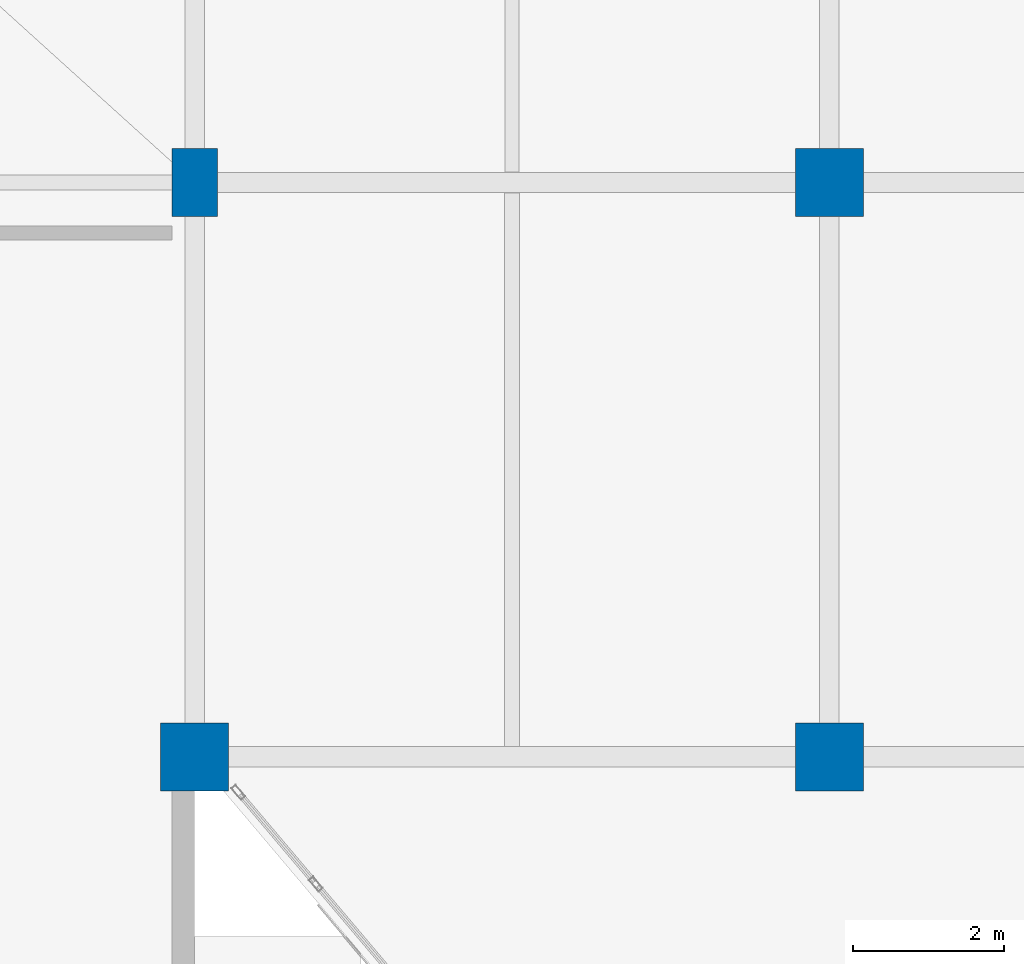
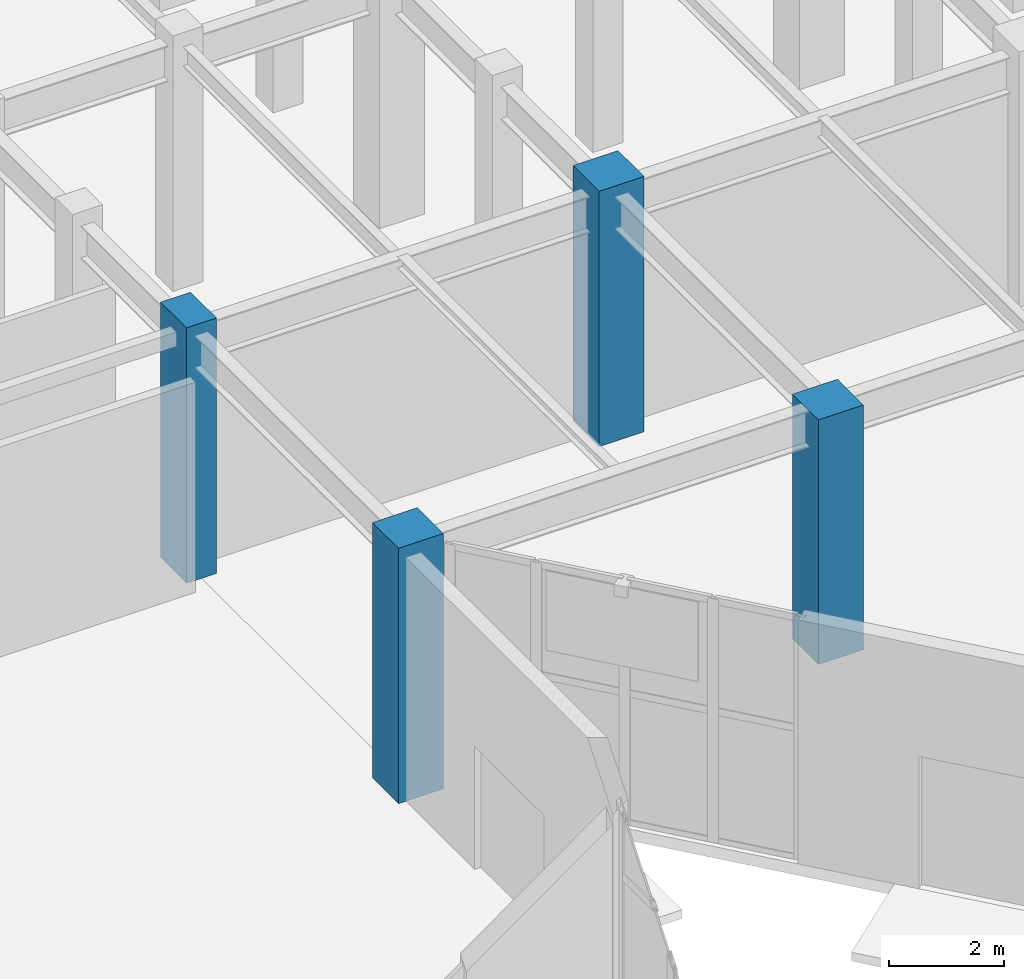
# One storey, part 2 of 139: 4 columns.
"""IFC4 building model written with IfcOpenShell, lengths in metres."""

from ifc_helpers import new_model, si_unit, direction, frame, origin, origin_2d, place, context, subcontext, project, spatial, rectangle, extrude, material, material_profile, profile_set, type_object, element, save


model = new_model("IFC4")

# Units and contexts
model_context = context("Model", 3, precision=1e-05, world=origin(), true_north=direction((0.0, 1.0)))
body_context = subcontext(model_context, "Body", "Model", "MODEL_VIEW")
ifc_project = project(units=[si_unit("LENGTHUNIT", "METRE"), si_unit("AREAUNIT", "SQUARE_METRE"), si_unit("VOLUMEUNIT", "CUBIC_METRE"), si_unit("PLANEANGLEUNIT", "RADIAN"), si_unit("MASSUNIT", "GRAM", prefix="KILO")], contexts=[model_context])

# Site, building, storey
site_placement = place(None, origin())
site = spatial("IfcSite", under=ifc_project, at=site_placement, CompositionType="ELEMENT")
building_placement = place(site_placement, origin())
building = spatial("IfcBuilding", under=site, at=building_placement, Name="Xicomal Pleat Aquarium", CompositionType="ELEMENT")
storey_placement = place(building_placement, origin())
storey = spatial("IfcBuildingStorey", under=building, at=storey_placement, Name="L01", CompositionType="ELEMENT", Elevation=0.0)

# Columns
ifc_material_1 = material(Name="Concrete C40/50", Category="concrete")
ifc_material_profile_1 = material_profile(ifc_material_1, rectangle(XDim=0.60009765625, YDim=0.89990234375, at=origin_2d()), Name="RC 600x900")
ifc_profile_set_1 = profile_set([ifc_material_profile_1], Name="Concrete C40/50")
column_type_1 = type_object("IfcColumnType", Name="COL-RC-600x900", PredefinedType="COLUMN", material=ifc_profile_set_1)
column_1_placement = place(storey_placement, frame((52.199951171875, 30.39990234375, 0.0), z_axis=(0.0, 0.0, 1.0), x_axis=(1.0, 0.0, 0.0)))
element("IfcColumn", 1, at=column_1_placement, inside=storey, type_object=column_type_1, Name="L01 column 07/E", PredefinedType="COLUMN", context=body_context, shape_type="SweptSolid", body=[
    extrude(rectangle(XDim=0.60009765625, YDim=0.89990234375, at=origin_2d()), origin(), (0.0, 0.0, 1.0), 5.39990234375),
])
ifc_material_2 = material(Name="Concrete C40/50", Category="concrete")
ifc_material_profile_2 = material_profile(ifc_material_2, rectangle(XDim=0.89990234375, YDim=0.89990234375, at=origin_2d()), Name="RC 900x900")
ifc_profile_set_2 = profile_set([ifc_material_profile_2], Name="Concrete C40/50")
column_type_2 = type_object("IfcColumnType", Name="COL-RC-900x900", PredefinedType="COLUMN", material=ifc_profile_set_2)
column_2_placement = place(storey_placement, frame((52.199951171875, 22.800048828125, 0.0), z_axis=(0.0, 0.0, 1.0), x_axis=(1.0, 0.0, 0.0)))
element("IfcColumn", 2, at=column_2_placement, inside=storey, type_object=column_type_2, Name="L01 column 07/D", PredefinedType="COLUMN", context=body_context, shape_type="SweptSolid", body=[
    extrude(rectangle(XDim=0.89990234375, YDim=0.89990234375, at=origin_2d()), origin(), (0.0, 0.0, 1.0), 5.39990234375),
])
column_3_placement = place(storey_placement, frame((60.60009765625, 22.800048828125, 0.0), z_axis=(0.0, 0.0, 1.0), x_axis=(1.0, 0.0, 0.0)))
element("IfcColumn", 3, at=column_3_placement, inside=storey, type_object=column_type_2, Name="L01 column 08/D", PredefinedType="COLUMN", context=body_context, shape_type="SweptSolid", body=[
    extrude(rectangle(XDim=0.89990234375, YDim=0.89990234375, at=origin_2d()), origin(), (0.0, 0.0, 1.0), 5.175048828125),
])
column_4_placement = place(storey_placement, frame((60.60009765625, 30.39990234375, 0.0), z_axis=(0.0, 0.0, 1.0), x_axis=(1.0, 0.0, 0.0)))
element("IfcColumn", 4, at=column_4_placement, inside=storey, type_object=column_type_2, Name="L01 column 08/E", PredefinedType="COLUMN", context=body_context, shape_type="SweptSolid", body=[
    extrude(rectangle(XDim=0.89990234375, YDim=0.89990234375, at=origin_2d()), origin(), (0.0, 0.0, 1.0), 5.39990234375),
])

save(model, "model.ifc")
